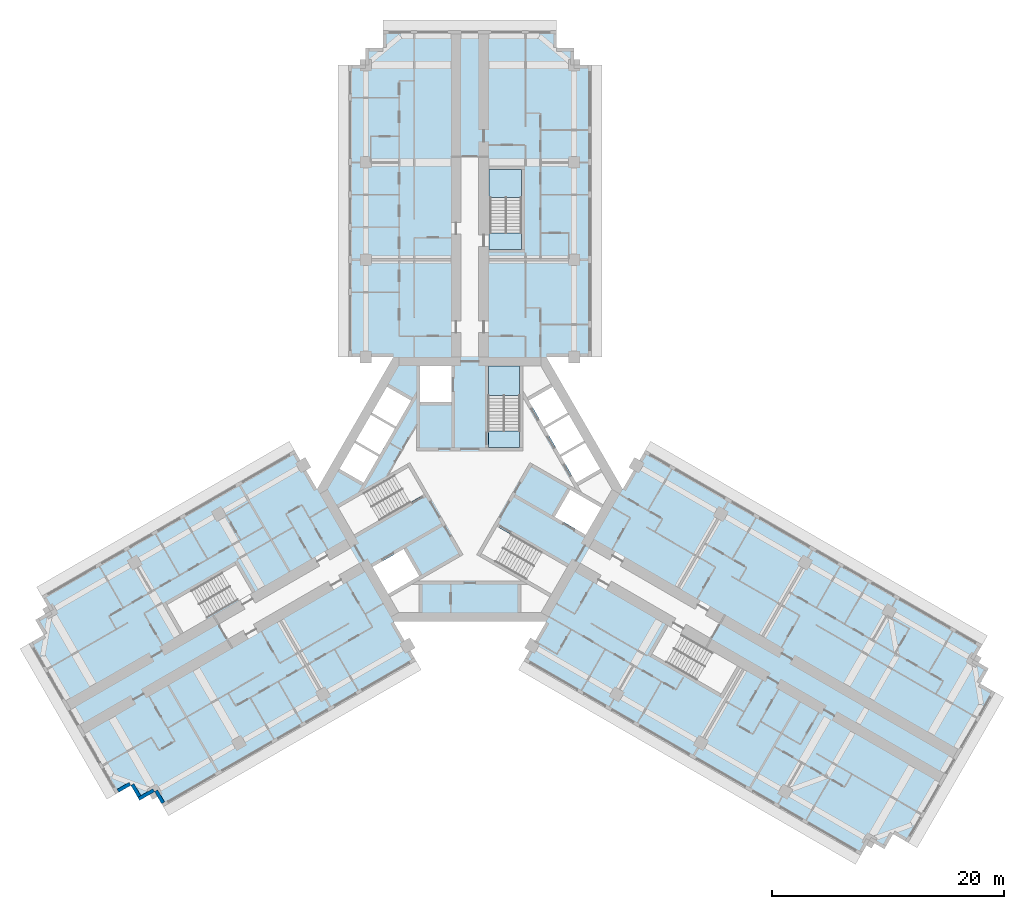
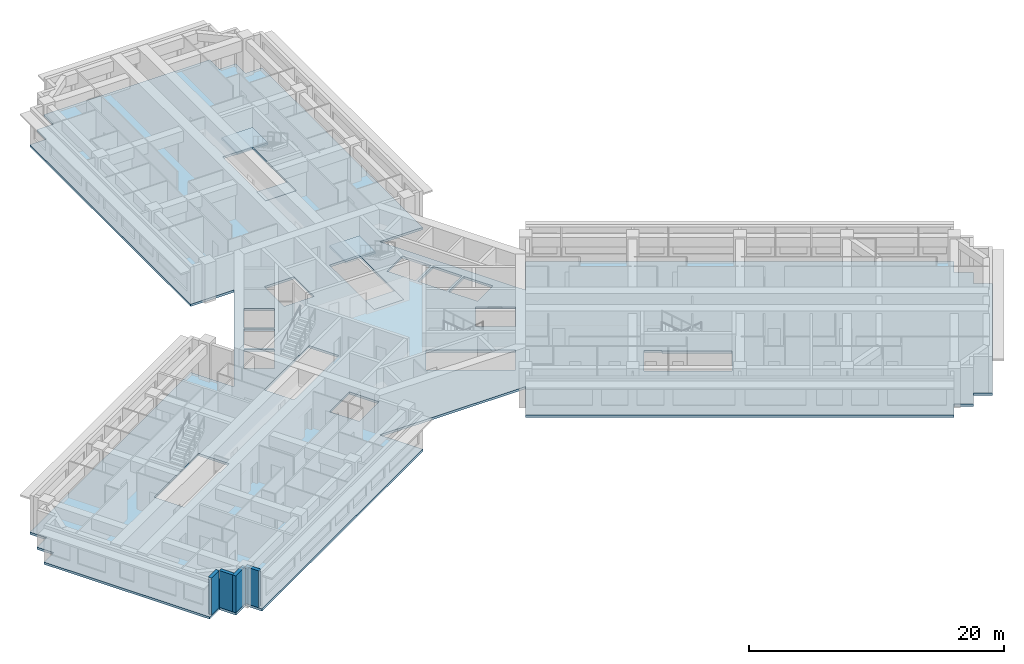
# One storey, part 2 of 14: 5 slabs, 4 walls, 2 elements without a shape of their own.
"""IFC4 building model written with IfcOpenShell, lengths in metres."""

from ifc_helpers import new_model, si_unit, direction, frame, frame_2d, origin, place, context, subcontext, project, spatial, polyline, rectangle, outline, extrude, material, layer, layer_set, type_object, element, aggregate, save


model = new_model("IFC4")

# Units and contexts
model_context = context("Model", 3, precision=1e-05, world=origin(), true_north=direction((0.0, 1.0)))
body_context = subcontext(model_context, "Body", "Model", "MODEL_VIEW")
ifc_project = project(units=[si_unit("LENGTHUNIT", "METRE"), si_unit("AREAUNIT", "SQUARE_METRE"), si_unit("VOLUMEUNIT", "CUBIC_METRE"), si_unit("PLANEANGLEUNIT", "RADIAN"), si_unit("MASSUNIT", "GRAM", prefix="KILO")], contexts=[model_context])

# Site, building, storey
site_placement = place(None, origin())
site = spatial("IfcSite", under=ifc_project, at=site_placement, CompositionType="ELEMENT")
building_placement = place(site_placement, origin())
building = spatial("IfcBuilding", under=site, at=building_placement, Name="Impinga Residences", CompositionType="ELEMENT")
storey_placement = place(building_placement, frame((0.0, 0.0, 154.75)))
storey = spatial("IfcBuildingStorey", under=building, at=storey_placement, Name="L38", CompositionType="ELEMENT", Elevation=154.75)

# Slab
ifc_material_1 = material(Name="Concrete C60/75", Category="concrete")
ifc_layer_1 = layer(ifc_material_1, 0.219970703125)
ifc_layer_set_1 = layer_set([ifc_layer_1], Name="Concrete C60/75")
slab_type_1 = type_object("IfcSlabType", Name="FS1 tower floor slab 220", PredefinedType="FLOOR", material=ifc_layer_set_1)
slab_1_placement = place(storey_placement, frame((0.0, 0.0, -0.219970703125)))
element("IfcSlab", 1, at=slab_1_placement, inside=storey, type_object=slab_type_1, Name="Floor slab FS1 L38", PredefinedType="FLOOR", context=body_context, shape_type="SweptSolid", body=[
    extrude(outline(polyline([(43.49853515625, -14.721435546875), (44.797607421875, -15.471435546875), (44.047607421875, -16.7705078125), (45.346435546875, -17.5205078125), (37.846435546875, -30.510986328125), (36.547607421875, -29.760986328125), (35.797607421875, -31.06005859375), (34.49853515625, -30.31005859375), (33.74853515625, -31.609130859375), (4.64990234375, -14.80908203125), (9.900146484375, -5.7158203125), (6.60009765625, -11.431640625), (-6.60009765625, -11.431640625), (-9.900146484375, -5.7158203125), (-4.64990234375, -14.80908203125), (-26.473876953125, -27.408935546875), (-27.223876953125, -26.110107421875), (-28.52294921875, -26.860107421875), (-29.27294921875, -25.56103515625), (-30.572021484375, -26.31103515625), (-38.072021484375, -13.320556640625), (-36.77294921875, -12.570556640625), (-37.52294921875, -11.271484375), (-36.223876953125, -10.521484375), (-36.973876953125, -9.222412109375), (-15.14990234375, 3.37744140625), (-13.199951171875, 0.0), (-6.60009765625, 11.431640625), (-10.5, 11.431640625), (-10.5, 36.631591796875), (-9.0, 36.631591796875), (-9.0, 38.131591796875), (-7.5, 38.131591796875), (-7.5, 39.631591796875), (7.5, 39.631591796875), (7.5, 38.131591796875), (9.0, 38.131591796875), (9.0, 36.631591796875), (10.5, 36.631591796875), (10.5, 11.431640625), (6.60009765625, 11.431640625), (13.199951171875, 0.0), (15.14990234375, 3.37744140625), (44.24853515625, -13.422607421875), (43.49853515625, -14.721435546875)]), holes=[polyline([(-18.779052734375, -8.936767578125), (-18.8291015625, -8.850341796875), (-18.8291015625, -8.850341796875), (-20.178955078125, -6.511962890625), (-21.391357421875, -7.2119140625), (-21.391357421875, -7.2119140625), (-26.154541015625, -9.9619140625), (-24.8046875, -12.30029296875), (-20.04150390625, -9.55029296875), (-19.991455078125, -9.63671875), (-18.779052734375, -8.936767578125)]), polyline([(-4.37109375, -7.489013671875), (-5.72119140625, -5.150634765625), (-8.4072265625, -6.701416015625), (-7.05712890625, -9.039794921875), (-4.37109375, -7.489013671875)]), polyline([(-3.943603515625, -0.429443359375), (-5.293701171875, 1.908935546875), (-11.357177734375, -1.591796875), (-10.007080078125, -3.93017578125), (-3.943603515625, -0.429443359375)]), polyline([(-7.878662109375, 2.816650390625), (-9.957275390625, 4.016845703125), (-11.257080078125, 1.76513671875), (-9.1787109375, 0.56494140625), (-7.878662109375, 2.816650390625)]), polyline([(-6.478759765625, 5.24169921875), (-8.55712890625, 6.441650390625), (-9.857177734375, 4.18994140625), (-7.77880859375, 2.989990234375), (-6.478759765625, 5.24169921875)]), polyline([(4.300048828125, 3.6298828125), (4.300048828125, 10.631591796875), (1.60009765625, 10.631591796875), (1.60009765625, 3.6298828125), (4.300048828125, 3.6298828125)]), polyline([(-6.378662109375, 5.414794921875), (-5.07861328125, 7.66650390625), (-7.1572265625, 8.866455078125), (-8.457275390625, 6.61474609375), (-6.378662109375, 5.414794921875)]), polyline([(-4.300048828125, 7.530029296875), (-1.60009765625, 7.530029296875), (-1.60009765625, 10.631591796875), (-4.300048828125, 10.631591796875), (-4.300048828125, 7.530029296875)]), polyline([(4.449951171875, 20.7314453125), (4.449951171875, 22.131591796875), (4.449951171875, 27.631591796875), (1.75, 27.631591796875), (1.75, 22.131591796875), (1.64990234375, 22.131591796875), (1.64990234375, 20.7314453125), (1.75, 20.7314453125), (4.449951171875, 20.7314453125)]), polyline([(15.72900390625, -14.219482421875), (21.70458984375, -17.669677734375), (23.0546875, -15.331298828125), (18.29150390625, -12.581298828125), (18.341552734375, -12.49462890625), (17.129150390625, -11.794677734375), (15.72900390625, -14.219482421875)]), polyline([(2.34375, -3.20068359375), (0.99365234375, -5.538818359375), (7.05712890625, -9.039794921875), (8.4072265625, -6.701416015625), (2.34375, -3.20068359375)]), polyline([(7.3212890625, -2.37939453125), (10.007080078125, -3.93017578125), (11.357177734375, -1.591796875), (8.671142578125, -0.041015625), (7.3212890625, -2.37939453125)]), polyline([(7.878662109375, 2.816650390625), (9.1787109375, 0.56494140625), (11.257080078125, 1.76513671875), (9.957275390625, 4.016845703125), (7.878662109375, 2.816650390625)]), polyline([(6.478759765625, 5.24169921875), (7.77880859375, 2.989990234375), (9.857177734375, 4.18994140625), (8.55712890625, 6.441650390625), (6.478759765625, 5.24169921875)]), polyline([(6.378662109375, 5.414794921875), (8.457275390625, 6.61474609375), (7.1572265625, 8.866455078125), (5.07861328125, 7.66650390625), (6.378662109375, 5.414794921875)])]), origin(), (0.0, 0.0, 1.0), 0.219970703125),
])

# Stair, slabs
ifc_material_2 = material(Name="Concrete C40/50", Category="concrete")
stair_type_1 = type_object("IfcStairType", Name="STR core stair 3750 storey, 24 risers", PredefinedType="HALF_TURN_STAIR", material=ifc_material_2)
stair_1_placement = place(storey_placement, origin())
stair_1 = element("IfcStair", 2, at=stair_1_placement, inside=storey, type_object=stair_type_1, Name="Stair ST1 L38", PredefinedType="HALF_TURN_STAIR")
ifc_layer_2 = layer(ifc_material_2, 0.199951171875)
ifc_layer_set_2 = layer_set([ifc_layer_2], Name="Concrete C40/50")
slab_type_2 = type_object("IfcSlabType", Name="LS1 stair landing 200", PredefinedType="LANDING", material=ifc_layer_set_2)
slab_2_placement = place(storey_placement, frame((0.0, 0.0, -0.199951171875)))
slab_2 = element("IfcSlab", 3, at=slab_2_placement, type_object=slab_type_2, Name="ST1 landing 1", PredefinedType="LANDING", context=body_context, shape_type="SweptSolid", body=[
    extrude(outline(polyline([(1.60009765625, 3.6298828125), (4.300048828125, 3.6298828125), (4.300048828125, 5.0400390625), (1.60009765625, 5.0400390625), (1.60009765625, 3.6298828125)])), origin(), (0.0, 0.0, 1.0), 0.199951171875),
])
slab_3_placement = place(storey_placement, frame((0.0, 0.0, 1.675048828125)))
slab_3 = element("IfcSlab", 4, at=slab_3_placement, type_object=slab_type_2, Name="ST1 landing 2", PredefinedType="LANDING", context=body_context, shape_type="SweptSolid", body=[
    extrude(outline(polyline([(1.60009765625, 8.10009765625), (4.300048828125, 8.10009765625), (4.300048828125, 10.631591796875), (1.60009765625, 10.631591796875), (1.60009765625, 8.10009765625)])), origin(), (0.0, 0.0, 1.0), 0.199951171875),
])
aggregate(stair_1, [slab_2, slab_3])

stair_type_2 = type_object("IfcStairType", Name="STR wing stair 3750 storey, 24 risers", PredefinedType="HALF_TURN_STAIR", material=ifc_material_2)
stair_2_placement = place(storey_placement, origin())
stair_2 = element("IfcStair", 5, at=stair_2_placement, inside=storey, type_object=stair_type_2, Name="Stair WS1 L38", PredefinedType="HALF_TURN_STAIR")
slab_4_placement = place(storey_placement, frame((0.0, 0.0, -0.199951171875)))
slab_4 = element("IfcSlab", 6, at=slab_4_placement, type_object=slab_type_2, Name="WS1 landing 1", PredefinedType="LANDING", context=body_context, shape_type="SweptSolid", body=[
    extrude(outline(polyline([(1.64990234375, 20.7314453125), (4.449951171875, 20.7314453125), (4.449951171875, 22.1416015625), (1.64990234375, 22.1416015625), (1.64990234375, 20.7314453125)])), origin(), (0.0, 0.0, 1.0), 0.199951171875),
])
slab_5_placement = place(storey_placement, frame((0.0, 0.0, 1.675048828125)))
slab_5 = element("IfcSlab", 7, at=slab_5_placement, type_object=slab_type_2, Name="WS1 landing 2", PredefinedType="LANDING", context=body_context, shape_type="SweptSolid", body=[
    extrude(outline(polyline([(1.64990234375, 25.201416015625), (4.449951171875, 25.201416015625), (4.449951171875, 27.631591796875), (1.64990234375, 27.631591796875), (1.64990234375, 25.201416015625)])), origin(), (0.0, 0.0, 1.0), 0.199951171875),
])
aggregate(stair_2, [slab_4, slab_5])

# Walls
ifc_material_3 = material(Name="Terracotta rainscreen on blockwork", Category="masonry")
ifc_layer_3 = layer(ifc_material_3, 0.300048828125)
ifc_layer_set_3 = layer_set([ifc_layer_3], Name="EW1 external wall, terracotta rainscreen on blockwork 300")
wall_type = type_object("IfcWallType", Name="EW1 external wall, terracotta rainscreen on blockwork 300", PredefinedType="SOLIDWALL", material=ifc_layer_set_3)
wall_1_placement = place(storey_placement, frame((-26.493896484375, -27.07421875, 0.0), z_axis=(0.0, 0.0, 1.0), x_axis=(-0.500033551112, 0.866006032174, 0.0)))
element("IfcWall", 8, at=wall_1_placement, inside=storey, type_object=wall_type, Name="External wall EW1 L38", PredefinedType="SOLIDWALL", context=body_context, shape_type="SweptSolid", body=[
    extrude(rectangle(XDim=1.2001953125, YDim=0.300048828125, at=frame_2d((0.60009765625, 0.0))), origin(), (0.0, 0.0, 1.0), 3.530029296875),
])
wall_2_placement = place(storey_placement, frame((-27.30322265625, -25.982666015625, 0.0), z_axis=(0.0, 0.0, 1.0), x_axis=(-0.866074087889, -0.499915667175, 0.0)))
element("IfcWall", 9, at=wall_2_placement, inside=storey, type_object=wall_type, Name="External wall EW1 L38", PredefinedType="SOLIDWALL", context=body_context, shape_type="SweptSolid", body=[
    extrude(rectangle(XDim=1.494873046875, YDim=0.300048828125, at=frame_2d((0.74755859375, 0.0))), origin(), (0.0, 0.0, 1.0), 3.530029296875),
])
wall_3_placement = place(storey_placement, frame((-28.54296875, -26.525146484375, 0.0), z_axis=(0.0, 0.0, 1.0), x_axis=(-0.500033551112, 0.866006032174, 0.0)))
element("IfcWall", 10, at=wall_3_placement, inside=storey, type_object=wall_type, Name="External wall EW1 L38", PredefinedType="SOLIDWALL", context=body_context, shape_type="SweptSolid", body=[
    extrude(rectangle(XDim=1.2001953125, YDim=0.300048828125, at=frame_2d((0.60009765625, 0.0))), origin(), (0.0, 0.0, 1.0), 3.530029296875),
])
wall_4_placement = place(storey_placement, frame((-29.352294921875, -25.43359375, 0.0), z_axis=(0.0, 0.0, 1.0), x_axis=(-0.866059708757, -0.499940577336, 0.0)))
element("IfcWall", 11, at=wall_4_placement, inside=storey, type_object=wall_type, Name="External wall EW1 L38", PredefinedType="SOLIDWALL", context=body_context, shape_type="SweptSolid", body=[
    extrude(rectangle(XDim=1.195068359375, YDim=0.300048828125, at=frame_2d((0.59765625, 0.0))), origin(), (0.0, 0.0, 1.0), 3.530029296875),
])

save(model, "model.ifc")
